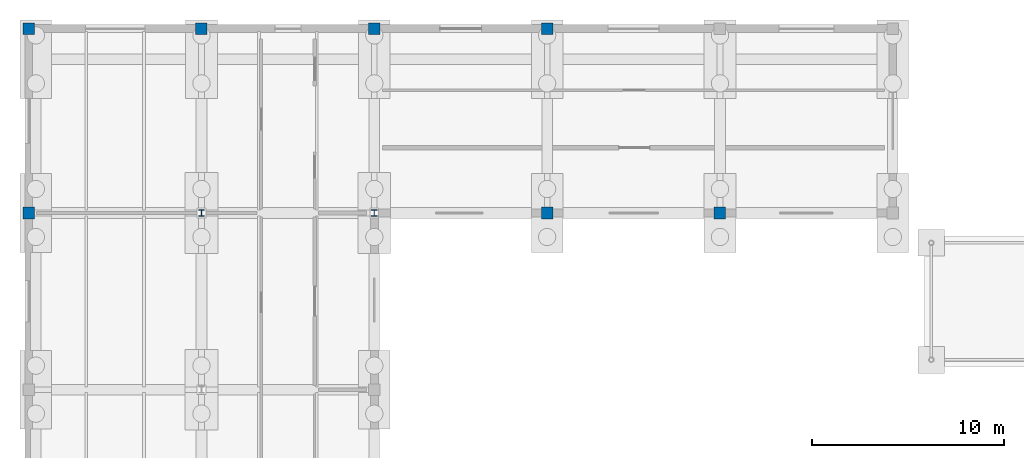
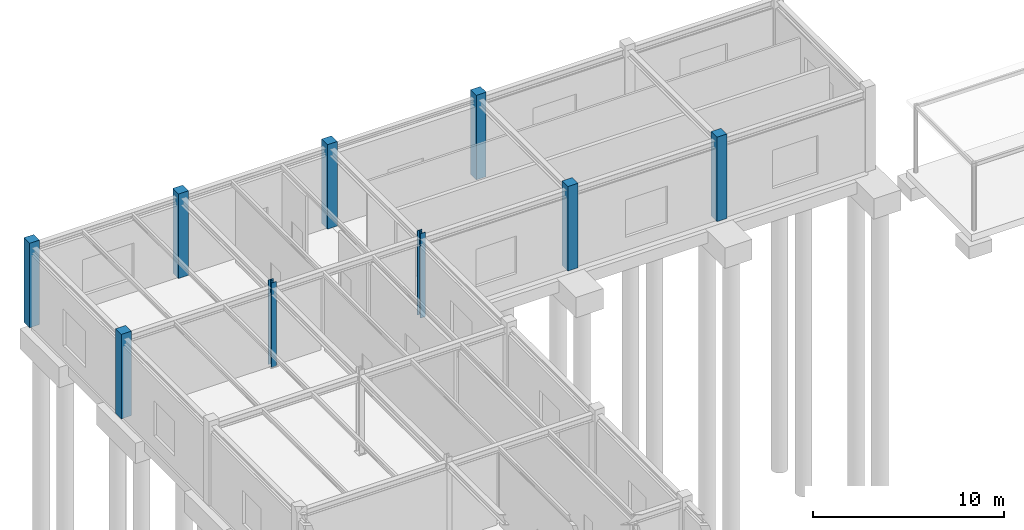
# One storey, part 16 of 76: 9 columns.
"""IFC4 building model written with IfcOpenShell, lengths in metres."""

import ifcopenshell
import ifcopenshell.guid

model = None  # the IFC model being written
_history = None  # IfcOwnerHistory: only IFC2X3 demands one
_inside = {}  # id of a spatial element -> (the spatial element, [elements in it])
_under = {}  # id of a project, library or spatial element -> (it, [spatial elements below it])
_declared = {}  # id of a project -> (the project, [libraries it declares])
_typed = {}  # id of a type object -> (the type object, [elements of that type])
_made_of = {}  # id of a material, layer set ... -> (it, [elements and type objects made of it])


def new_model(schema):
    """Start an empty IFC model of exactly this schema.

    Asked for "IFC4X3", IfcOpenShell would pick the latest addendum, in which some entities
    have other attributes; the version numbers below select the first issue.
    IFC2X3 requires an IfcOwnerHistory on every rooted entity: one is made here for all.
    """
    global model, _history
    if schema == "IFC4X3":
        model = ifcopenshell.file(schema_version=(4, 3, 0, 0))
    else:
        model = ifcopenshell.file(schema=schema)
    _inside.clear()
    _under.clear()
    _declared.clear()
    _typed.clear()
    _made_of.clear()
    _history = None
    if model.schema == "IFC2X3":
        org = make("IfcOrganization", Name="unknown")
        user = make(
            "IfcPersonAndOrganization",
            ThePerson=make("IfcPerson", FamilyName="unknown"),
            TheOrganization=org,
        )
        app = make(
            "IfcApplication",
            ApplicationDeveloper=org,
            Version="unknown",
            ApplicationFullName="unknown",
            ApplicationIdentifier="unknown",
        )
        _history = make(
            "IfcOwnerHistory",
            OwningUser=user,
            OwningApplication=app,
            ChangeAction="ADDED",
            CreationDate=0,
        )
    return model


def make(cls, **values):
    """One entity of the class cls with the attributes given. An attribute that is None is left unset."""
    return model.create_entity(
        cls, **{name: value for name, value in values.items() if value is not None}
    )


def rooted(cls, **values):
    """An entity with a GlobalId (a new one), such as an element, a storey or a relation."""
    return make(cls, GlobalId=ifcopenshell.guid.new(), OwnerHistory=_history, **values)


def si_unit(unit_type, name, prefix=None):
    """IfcSIUnit, for example si_unit("LENGTHUNIT", "METRE", prefix="MILLI")."""
    return make("IfcSIUnit", UnitType=unit_type, Prefix=prefix, Name=name)


def assignment(units):
    """IfcUnitAssignment: the units of a project."""
    return None if units is None else make("IfcUnitAssignment", Units=units)


def point(xyz):
    """IfcCartesianPoint."""
    return None if xyz is None else make("IfcCartesianPoint", Coordinates=xyz)


def direction(xyz):
    """IfcDirection."""
    return None if xyz is None else make("IfcDirection", DirectionRatios=xyz)


def frame(location, z_axis=None, x_axis=None):
    """IfcAxis2Placement3D, a coordinate frame: its origin and axes. An axis left out is left unset."""
    return make(
        "IfcAxis2Placement3D",
        Location=point(location),
        Axis=direction(z_axis),
        RefDirection=direction(x_axis),
    )


def frame_2d(location, x_axis=None):
    """IfcAxis2Placement2D, a coordinate frame in the plane: its origin and x axis."""
    return make(
        "IfcAxis2Placement2D", Location=point(location), RefDirection=direction(x_axis)
    )


def origin():
    """The frame at (0, 0, 0) with its axes left unset."""
    return frame((0.0, 0.0, 0.0))


def origin_2d():
    """The frame at (0, 0) in the plane with its x axis left unset."""
    return frame_2d((0.0, 0.0))


def place(relative_to, where):
    """IfcLocalPlacement: puts the frame where relative to a parent placement (None: the world)."""
    return make(
        "IfcLocalPlacement", PlacementRelTo=relative_to, RelativePlacement=where
    )


def context(
    kind, dimensions, precision=None, world=None, true_north=None, identifier=None
):
    """IfcGeometricRepresentationContext, for example the 3D "Model" context."""
    return make(
        "IfcGeometricRepresentationContext",
        ContextIdentifier=identifier,
        ContextType=kind,
        CoordinateSpaceDimension=dimensions,
        Precision=precision,
        WorldCoordinateSystem=world,
        TrueNorth=true_north,
    )


def subcontext(parent, identifier, kind, view, scale=None):
    """IfcGeometricRepresentationSubContext, for example "Body" below "Model"."""
    return make(
        "IfcGeometricRepresentationSubContext",
        ContextIdentifier=identifier,
        ContextType=kind,
        ParentContext=parent,
        TargetScale=scale,
        TargetView=view,
    )


def project(units=None, contexts=None):
    """IfcProject with its units and contexts."""
    return rooted(
        "IfcProject",
        Name="project",
        RepresentationContexts=contexts,
        UnitsInContext=assignment(units),
    )


def spatial(cls, under=None, at=None, **own):
    """A site, building, storey or space (cls), placed at a placement, below another one or the project."""
    s = rooted(cls, ObjectPlacement=at, **own)
    if under is not None:
        _under.setdefault(under.id(), (under, []))[1].append(s)
    return s


def profile(cls, at=None, kind="AREA", **sizes):
    """A parametric profile (cls). Its sizes go by their IFC names, for example OverallWidth=200.0."""
    return make(cls, ProfileType=kind, Position=at, **sizes)


def rectangle(**sizes):
    """IfcRectangleProfileDef."""
    return profile("IfcRectangleProfileDef", **sizes)


def i_section(**sizes):
    """IfcIShapeProfileDef."""
    return profile("IfcIShapeProfileDef", **sizes)


def extrude(swept, where, along, depth):
    """IfcExtrudedAreaSolid: the profile swept, set in the frame where, extruded along a direction by depth."""
    return make(
        "IfcExtrudedAreaSolid",
        SweptArea=swept,
        Position=where,
        ExtrudedDirection=direction(along),
        Depth=depth,
    )


def shape(context_of_items, identifier, shape_type, items):
    """IfcShapeRepresentation: the items that make up one representation, for example the "Body"."""
    return make(
        "IfcShapeRepresentation",
        ContextOfItems=context_of_items,
        RepresentationIdentifier=identifier,
        RepresentationType=shape_type,
        Items=items,
    )


def material(Name=None, Category=None):
    """IfcMaterial."""
    return make("IfcMaterial", Name=Name, Category=Category)


def material_profile(
    of_material, cross_section, Name=None, Category=None, Priority=None
):
    """IfcMaterialProfile: a cross section and its material."""
    return make(
        "IfcMaterialProfile",
        Name=Name,
        Material=of_material,
        Profile=cross_section,
        Priority=Priority,
        Category=Category,
    )


def profile_set(profiles, Name=None, composite=None):
    """IfcMaterialProfileSet."""
    return make(
        "IfcMaterialProfileSet",
        Name=Name,
        MaterialProfiles=profiles,
        CompositeProfile=composite,
    )


def made_of(thing, what):
    """Note that an element or type object is made of a material, layer set ...; save() writes the relation."""
    if what is not None:
        _made_of.setdefault(what.id(), (what, []))[1].append(thing)
    return thing


def type_object(cls, material=None, **own):
    """A type object (cls), such as IfcWallType, which elements share."""
    return made_of(rooted(cls, **own), material)


def element(
    cls,
    number,
    at=None,
    inside=None,
    cuts=None,
    type_object=None,
    material=None,
    context=None,
    identifier="Body",
    shape_type=None,
    held_by="IfcProductDefinitionShape",
    body=None,
    shapes=None,
    **own,
):
    """One element of the class cls, such as IfcWall. Its Tag is "e" and its number.

    at: its placement. inside: the storey or other place that contains it. cuts: it is an
    opening in that element (IfcRelVoidsElement). A single representation is given by context,
    identifier, shape_type and body (its items); several are given by shapes. held_by: the class
    of the entity that holds the representations. save() writes the other relations.
    """
    e = rooted(cls, Tag="e%d" % number, ObjectPlacement=at, **own)
    if body is not None:
        shapes = [shape(context, identifier, shape_type, body)]
    if shapes is not None:
        e.Representation = make(held_by, Representations=shapes)
    if inside is not None:
        _inside.setdefault(inside.id(), (inside, []))[1].append(e)
    if cuts is not None:
        rooted(
            "IfcRelVoidsElement", RelatingBuildingElement=cuts, RelatedOpeningElement=e
        )
    if type_object is not None:
        _typed.setdefault(type_object.id(), (type_object, []))[1].append(e)
    return made_of(e, material)


def aggregate(whole, parts):
    """IfcRelAggregates: a whole, such as a stair, and the parts it consists of."""
    return rooted("IfcRelAggregates", RelatingObject=whole, RelatedObjects=parts)


def save(model, path):
    """Write the relations noted so far, then the file.

    IfcRelAggregates (storeys below a building ...), IfcRelContainedInSpatialStructure (elements
    in a storey), IfcRelDefinesByType, IfcRelAssociatesMaterial and IfcRelDeclares: one each for
    every whole, place, type object, material and project.
    """
    for whole, parts in _under.values():
        aggregate(whole, parts)
    for where, things in _inside.values():
        rooted(
            "IfcRelContainedInSpatialStructure",
            RelatedElements=things,
            RelatingStructure=where,
        )
    for kind, things in _typed.values():
        rooted("IfcRelDefinesByType", RelatedObjects=things, RelatingType=kind)
    for what, things in _made_of.values():
        rooted("IfcRelAssociatesMaterial", RelatedObjects=things, RelatingMaterial=what)
    for by, libraries in _declared.values():
        rooted("IfcRelDeclares", RelatingContext=by, RelatedDefinitions=libraries)
    model.write(path)


model = new_model("IFC4")

# Units and contexts
model_context = context("Model", 3, precision=1e-05, world=origin(), true_north=direction((0.0, 1.0)))
body_context = subcontext(model_context, "Body", "Model", "MODEL_VIEW")
ifc_project = project(units=[si_unit("LENGTHUNIT", "METRE"), si_unit("AREAUNIT", "SQUARE_METRE"), si_unit("VOLUMEUNIT", "CUBIC_METRE"), si_unit("PLANEANGLEUNIT", "RADIAN"), si_unit("MASSUNIT", "GRAM", prefix="KILO")], contexts=[model_context])

# Site, building, storey
site_placement = place(None, origin())
site = spatial("IfcSite", under=ifc_project, at=site_placement, CompositionType="ELEMENT")
building_placement = place(site_placement, origin())
building = spatial("IfcBuilding", under=site, at=building_placement, Name="Bozkorgan Art Gallery", CompositionType="ELEMENT")
storey_placement = place(building_placement, origin())
storey = spatial("IfcBuildingStorey", under=building, at=storey_placement, Name="L00", CompositionType="ELEMENT", Elevation=0.0)

# Columns
ifc_material_1 = material(Name="Concrete C40/50", Category="concrete")
ifc_material_profile_1 = material_profile(ifc_material_1, rectangle(XDim=0.60009765625, YDim=0.60009765625, at=origin_2d()), Name="RC 600x600")
ifc_profile_set_1 = profile_set([ifc_material_profile_1], Name="Concrete C40/50")
column_type_1 = type_object("IfcColumnType", Name="COLUMN-C-24", PredefinedType="COLUMN", material=ifc_profile_set_1)
for number, where, z_axis, x_axis, name in (
    (1, (2.0, 102.800048828125, 0.0), (0.0, 0.0, 1.0), (1.0, 0.0, 0.0), "V2 L00 column (2.0, 102.8)"),
    (2, (2.0, 112.39990234375, 0.0), (0.0, 0.0, 1.0), (1.0, 0.0, 0.0), "V2 L00 column (2.0, 112.4)"),
    (3, (11.0, 112.39990234375, 0.0), (0.0, 0.0, 1.0), (1.0, 0.0, 0.0), "V2 L00 column (11.0, 112.4)"),
    (4, (20.0, 112.39990234375, 0.0), (0.0, 0.0, 1.0), (1.0, 0.0, 0.0), "V2 L00 column (20.0, 112.4)"),
    (5, (29.0, 102.800048828125, 0.0), (0.0, 0.0, 1.0), (1.0, 0.0, 0.0), "V2 L00 column (29.0, 102.8)"),
    (6, (29.0, 112.39990234375, 0.0), (0.0, 0.0, 1.0), (1.0, 0.0, 0.0), "V2 L00 column (29.0, 112.4)"),
    (7, (38.0, 102.800048828125, 0.0), (0.0, 0.0, 1.0), (1.0, 0.0, 0.0), "V2 L00 column (38.0, 102.8)"),
):
    element("IfcColumn", number, at=place(storey_placement, frame(where, z_axis=z_axis, x_axis=x_axis)), inside=storey, type_object=column_type_1, Name=name, PredefinedType="COLUMN", context=body_context, shape_type="SweptSolid", body=[
        extrude(rectangle(XDim=0.60009765625, YDim=0.60009765625, at=origin_2d()), origin(), (0.0, 0.0, 1.0), 5.39990234375),
    ])
ifc_material_2 = material(Name="Steel S355J2", Category="steel")
ifc_material_profile_2 = material_profile(ifc_material_2, i_section(OverallWidth=0.300048828125, OverallDepth=0.340087890625, WebThickness=0.011962890625, FlangeThickness=0.021484375, FilletRadius=0.027099609375, at=origin_2d()), Name="HEB 340")
ifc_profile_set_2 = profile_set([ifc_material_profile_2], Name="Steel S355J2")
column_type_2 = type_object("IfcColumnType", Name="COLUMN-C-81", PredefinedType="COLUMN", material=ifc_profile_set_2)
for number, where, z_axis, x_axis, name in (
    (8, (11.0, 102.800048828125, 0.0), (0.0, 0.0, 1.0), (1.0, 0.0, 0.0), "V2 L00 column (11.0, 102.8)"),
    (9, (20.0, 102.800048828125, 0.0), (0.0, 0.0, 1.0), (1.0, 0.0, 0.0), "V2 L00 column (20.0, 102.8)"),
):
    element("IfcColumn", number, at=place(storey_placement, frame(where, z_axis=z_axis, x_axis=x_axis)), inside=storey, type_object=column_type_2, Name=name, PredefinedType="COLUMN", context=body_context, shape_type="SweptSolid", body=[
        extrude(i_section(OverallWidth=0.300048828125, OverallDepth=0.340087890625, WebThickness=0.011962890625, FlangeThickness=0.021484375, FilletRadius=0.027099609375, at=origin_2d()), origin(), (0.0, 0.0, 1.0), 5.39990234375),
    ])

save(model, "model.ifc")
